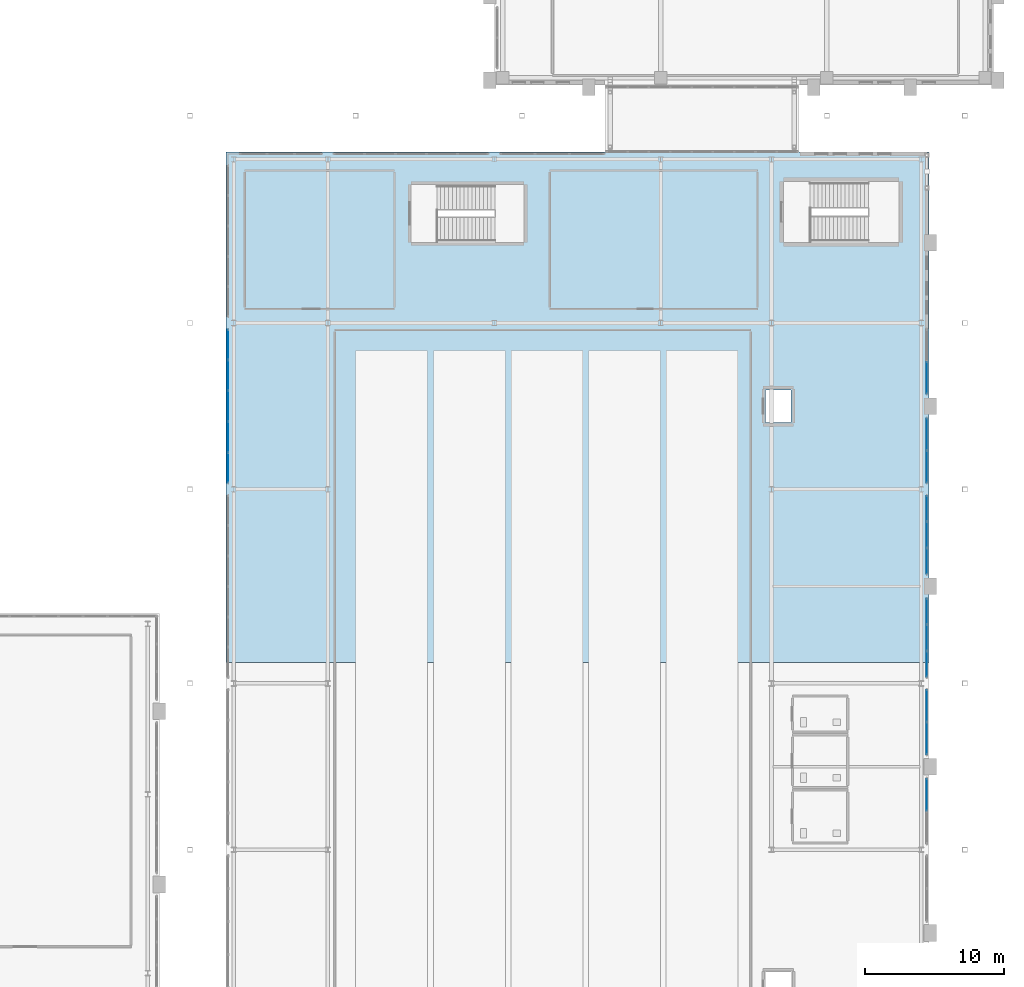
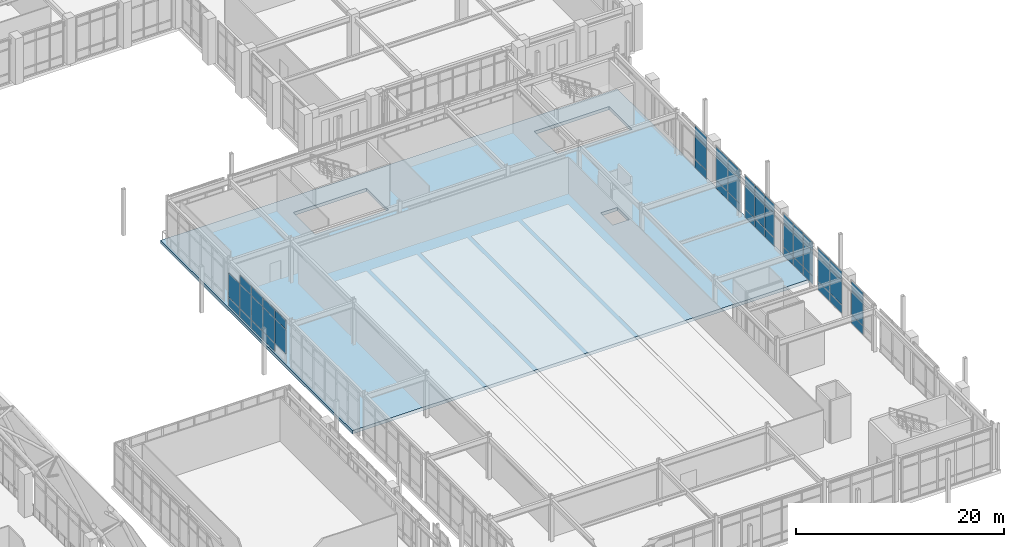
# One storey, part 114 of 159: 49 plates, 1 slab, 7 elements without a shape of their own.
"""IFC4 building model written with IfcOpenShell, lengths in metres."""

from ifc_helpers import new_model, si_unit, derived_unit, direction, frame, origin, origin_2d, place, context, subcontext, project, spatial, polyline, rectangle, outline, extrude, material, layer, layer_set, type_object, element, aggregate, save


model = new_model("IFC4")

# Units and contexts
model_context = context("Model", 3, precision=1e-05, world=origin(), true_north=direction((0.0, 1.0)))
body_context = subcontext(model_context, "Body", "Model", "MODEL_VIEW")
ifc_project = project(units=[si_unit("LENGTHUNIT", "METRE"), si_unit("AREAUNIT", "SQUARE_METRE"), si_unit("VOLUMEUNIT", "CUBIC_METRE"), si_unit("PLANEANGLEUNIT", "RADIAN"), si_unit("MASSUNIT", "GRAM", prefix="KILO"), derived_unit("THERMALTRANSMITTANCEUNIT", [(si_unit("MASSUNIT", "GRAM", prefix="KILO"), 1), (si_unit("TIMEUNIT", "SECOND"), -3), (si_unit("THERMODYNAMICTEMPERATUREUNIT", "KELVIN"), -1)])], contexts=[model_context])

# Site, building, storey
site_placement = place(None, origin())
site = spatial("IfcSite", under=ifc_project, at=site_placement, CompositionType="ELEMENT")
building_placement = place(site_placement, origin())
building = spatial("IfcBuilding", under=site, at=building_placement, Name="Valcora Ridge Arena", CompositionType="ELEMENT")
storey_placement = place(building_placement, frame((0.0, 0.0, 6.0)))
storey = spatial("IfcBuildingStorey", under=building, at=storey_placement, Name="L01", CompositionType="ELEMENT", Elevation=6.0)

# Curtain wall, plates
ifc_material_1 = material(Name="Anodised dark bronze architectural aluminium 6063-T6", Category="aluminium")
ifc_layer_1 = layer(ifc_material_1, 0.179931640625, Name="Anodised dark bronze architectural aluminium 6063-T6")
ifc_layer_set_1 = layer_set([ifc_layer_1], Name="Anodised dark bronze architectural aluminium 6063-T6")
curtain_wall_type_1 = type_object("IfcCurtainWallType", Name="TY-CURTAINWALL-CW-V2-GLAZ-057X50", PredefinedType="NOTDEFINED", material=ifc_layer_set_1)
curtain_wall_1_placement = place(storey_placement, origin())
curtain_wall_1 = element("IfcCurtainWall", 1, at=curtain_wall_1_placement, inside=storey, type_object=curtain_wall_type_1, Name="CW-V2-GLAZ-057X50 CW-0053", PredefinedType="NOTDEFINED")
ifc_material_2 = material(Name="Low-iron solar-control double glazing SHGC 0.28", Category="glass")
ifc_layer_2 = layer(ifc_material_2, 0.028076171875, Name="Low-iron solar-control double glazing SHGC 0.28")
ifc_layer_set_2 = layer_set([ifc_layer_2], Name="Low-iron solar-control double glazing SHGC 0.28")
plate_type_1 = type_object("IfcPlateType", Name="TY-PLT-CWP-1821X0975", PredefinedType="CURTAIN_PANEL", material=ifc_layer_set_2)
plate_1_placement = place(storey_placement, frame((187.199951171875, 41.39697265625, 0.050048828125), z_axis=(0.0, 0.0, 1.0), x_axis=(0.0, 1.0, 0.0)))
plate_1 = element("IfcPlate", 2, at=plate_1_placement, type_object=plate_type_1, Name="CW-0053/P00-00", PredefinedType="CURTAIN_PANEL", context=body_context, shape_type="SweptSolid", body=[
    extrude(rectangle(XDim=1.821044921875, YDim=0.028076171875, at=origin_2d()), origin(), (0.0, 0.0, 1.0), 0.97509765625),
])
plate_2_placement = place(storey_placement, frame((187.199951171875, 45.18896484375, 0.050048828125), z_axis=(0.0, 0.0, 1.0), x_axis=(0.0, 1.0, 0.0)))
plate_2 = element("IfcPlate", 3, at=plate_2_placement, type_object=plate_type_1, Name="CW-0053/P02-00", PredefinedType="CURTAIN_PANEL", context=body_context, shape_type="SweptSolid", body=[
    extrude(rectangle(XDim=1.821044921875, YDim=0.028076171875, at=origin_2d()), origin(), (0.0, 0.0, 1.0), 0.97509765625),
])

curtain_wall_2_placement = place(storey_placement, origin())
curtain_wall_2 = element("IfcCurtainWall", 4, at=curtain_wall_2_placement, inside=storey, type_object=curtain_wall_type_1, Name="CW-V2-GLAZ-057X50 CW-0054", PredefinedType="NOTDEFINED")
plate_3_placement = place(storey_placement, frame((187.199951171875, 48.810546875, 0.050048828125), z_axis=(0.0, 0.0, 1.0), x_axis=(0.0, 1.0, 0.0)))
plate_3 = element("IfcPlate", 5, at=plate_3_placement, type_object=plate_type_1, Name="CW-0054/P00-00", PredefinedType="CURTAIN_PANEL", context=body_context, shape_type="SweptSolid", body=[
    extrude(rectangle(XDim=1.821044921875, YDim=0.028076171875, at=origin_2d()), origin(), (0.0, 0.0, 1.0), 0.97509765625),
])
plate_4_placement = place(storey_placement, frame((187.199951171875, 52.6025390625, 0.050048828125), z_axis=(0.0, 0.0, 1.0), x_axis=(0.0, 1.0, 0.0)))
plate_4 = element("IfcPlate", 6, at=plate_4_placement, type_object=plate_type_1, Name="CW-0054/P02-00", PredefinedType="CURTAIN_PANEL", context=body_context, shape_type="SweptSolid", body=[
    extrude(rectangle(XDim=1.821044921875, YDim=0.028076171875, at=origin_2d()), origin(), (0.0, 0.0, 1.0), 0.97509765625),
])

# Plate
ifc_layer_3 = layer(ifc_material_2, 0.028076171875, Name="Low-iron solar-control double glazing SHGC 0.28")
ifc_layer_set_3 = layer_set([ifc_layer_3], Name="Low-iron solar-control double glazing SHGC 0.28")
plate_type_2 = type_object("IfcPlateType", Name="TY-PLT-CWP-1821X1025", PredefinedType="CURTAIN_PANEL", material=ifc_layer_set_3)
plate_5_placement = place(storey_placement, frame((187.199951171875, 41.39697265625, 3.965087890625), z_axis=(0.0, 0.0, 1.0), x_axis=(0.0, 1.0, 0.0)))
plate_5 = element("IfcPlate", 7, at=plate_5_placement, type_object=plate_type_2, Name="CW-0053/P00-02", PredefinedType="CURTAIN_PANEL", context=body_context, shape_type="SweptSolid", body=[
    extrude(rectangle(XDim=1.821044921875, YDim=0.028076171875, at=origin_2d()), origin(), (0.0, 0.0, 1.0), 1.02490234375),
])

plate_6_placement = place(storey_placement, frame((187.199951171875, 45.18896484375, 3.965087890625), z_axis=(0.0, 0.0, 1.0), x_axis=(0.0, 1.0, 0.0)))
plate_6 = element("IfcPlate", 8, at=plate_6_placement, type_object=plate_type_2, Name="CW-0053/P02-02", PredefinedType="CURTAIN_PANEL", context=body_context, shape_type="SweptSolid", body=[
    extrude(rectangle(XDim=1.821044921875, YDim=0.028076171875, at=origin_2d()), origin(), (0.0, 0.0, 1.0), 1.02490234375),
])

plate_7_placement = place(storey_placement, frame((187.199951171875, 48.810546875, 3.965087890625), z_axis=(0.0, 0.0, 1.0), x_axis=(0.0, 1.0, 0.0)))
plate_7 = element("IfcPlate", 9, at=plate_7_placement, type_object=plate_type_2, Name="CW-0054/P00-02", PredefinedType="CURTAIN_PANEL", context=body_context, shape_type="SweptSolid", body=[
    extrude(rectangle(XDim=1.821044921875, YDim=0.028076171875, at=origin_2d()), origin(), (0.0, 0.0, 1.0), 1.02490234375),
])

plate_8_placement = place(storey_placement, frame((187.199951171875, 52.6025390625, 3.965087890625), z_axis=(0.0, 0.0, 1.0), x_axis=(0.0, 1.0, 0.0)))
plate_8 = element("IfcPlate", 10, at=plate_8_placement, type_object=plate_type_2, Name="CW-0054/P02-02", PredefinedType="CURTAIN_PANEL", context=body_context, shape_type="SweptSolid", body=[
    extrude(rectangle(XDim=1.821044921875, YDim=0.028076171875, at=origin_2d()), origin(), (0.0, 0.0, 1.0), 1.02490234375),
])

ifc_layer_4 = layer(ifc_material_2, 0.028076171875, Name="Low-iron solar-control double glazing SHGC 0.28")
ifc_layer_set_4 = layer_set([ifc_layer_4], Name="Low-iron solar-control double glazing SHGC 0.28")
plate_type_3 = type_object("IfcPlateType", Name="TY-PLT-CWP-1821X2840", PredefinedType="CURTAIN_PANEL", material=ifc_layer_set_4)
plate_9_placement = place(storey_placement, frame((187.199951171875, 41.39697265625, 1.0751953125), z_axis=(0.0, 0.0, 1.0), x_axis=(0.0, 1.0, 0.0)))
plate_9 = element("IfcPlate", 11, at=plate_9_placement, type_object=plate_type_3, Name="CW-0053/P00-01", PredefinedType="CURTAIN_PANEL", context=body_context, shape_type="SweptSolid", body=[
    extrude(rectangle(XDim=1.821044921875, YDim=0.028076171875, at=origin_2d()), origin(), (0.0, 0.0, 1.0), 2.840087890625),
])

plate_10_placement = place(storey_placement, frame((187.199951171875, 45.18896484375, 1.0751953125), z_axis=(0.0, 0.0, 1.0), x_axis=(0.0, 1.0, 0.0)))
plate_10 = element("IfcPlate", 12, at=plate_10_placement, type_object=plate_type_3, Name="CW-0053/P02-01", PredefinedType="CURTAIN_PANEL", context=body_context, shape_type="SweptSolid", body=[
    extrude(rectangle(XDim=1.821044921875, YDim=0.028076171875, at=origin_2d()), origin(), (0.0, 0.0, 1.0), 2.840087890625),
])

plate_11_placement = place(storey_placement, frame((187.199951171875, 48.810546875, 1.0751953125), z_axis=(0.0, 0.0, 1.0), x_axis=(0.0, 1.0, 0.0)))
plate_11 = element("IfcPlate", 13, at=plate_11_placement, type_object=plate_type_3, Name="CW-0054/P00-01", PredefinedType="CURTAIN_PANEL", context=body_context, shape_type="SweptSolid", body=[
    extrude(rectangle(XDim=1.821044921875, YDim=0.028076171875, at=origin_2d()), origin(), (0.0, 0.0, 1.0), 2.840087890625),
])

plate_12_placement = place(storey_placement, frame((187.199951171875, 52.6025390625, 1.0751953125), z_axis=(0.0, 0.0, 1.0), x_axis=(0.0, 1.0, 0.0)))
plate_12 = element("IfcPlate", 14, at=plate_12_placement, type_object=plate_type_3, Name="CW-0054/P02-01", PredefinedType="CURTAIN_PANEL", context=body_context, shape_type="SweptSolid", body=[
    extrude(rectangle(XDim=1.821044921875, YDim=0.028076171875, at=origin_2d()), origin(), (0.0, 0.0, 1.0), 2.840087890625),
])

ifc_layer_5 = layer(ifc_material_2, 0.028076171875, Name="Low-iron solar-control double glazing SHGC 0.28")
ifc_layer_set_5 = layer_set([ifc_layer_5], Name="Low-iron solar-control double glazing SHGC 0.28")
plate_type_4 = type_object("IfcPlateType", Name="TY-PLT-CWP-1851X0975", PredefinedType="CURTAIN_PANEL", material=ifc_layer_set_5)
plate_13_placement = place(storey_placement, frame((187.199951171875, 43.29296875, 0.050048828125), z_axis=(0.0, 0.0, 1.0), x_axis=(0.0, 1.0, 0.0)))
plate_13 = element("IfcPlate", 15, at=plate_13_placement, type_object=plate_type_4, Name="CW-0053/P01-00", PredefinedType="CURTAIN_PANEL", context=body_context, shape_type="SweptSolid", body=[
    extrude(rectangle(XDim=1.85107421875, YDim=0.028076171875, at=origin_2d()), origin(), (0.0, 0.0, 1.0), 0.97509765625),
])

plate_14_placement = place(storey_placement, frame((187.199951171875, 50.70654296875, 0.050048828125), z_axis=(0.0, 0.0, 1.0), x_axis=(0.0, 1.0, 0.0)))
plate_14 = element("IfcPlate", 16, at=plate_14_placement, type_object=plate_type_4, Name="CW-0054/P01-00", PredefinedType="CURTAIN_PANEL", context=body_context, shape_type="SweptSolid", body=[
    extrude(rectangle(XDim=1.85107421875, YDim=0.028076171875, at=origin_2d()), origin(), (0.0, 0.0, 1.0), 0.97509765625),
])

ifc_layer_6 = layer(ifc_material_2, 0.028076171875, Name="Low-iron solar-control double glazing SHGC 0.28")
ifc_layer_set_6 = layer_set([ifc_layer_6], Name="Low-iron solar-control double glazing SHGC 0.28")
plate_type_5 = type_object("IfcPlateType", Name="TY-PLT-CWP-1851X1025", PredefinedType="CURTAIN_PANEL", material=ifc_layer_set_6)
plate_15_placement = place(storey_placement, frame((187.199951171875, 43.29296875, 3.965087890625), z_axis=(0.0, 0.0, 1.0), x_axis=(0.0, 1.0, 0.0)))
plate_15 = element("IfcPlate", 17, at=plate_15_placement, type_object=plate_type_5, Name="CW-0053/P01-02", PredefinedType="CURTAIN_PANEL", context=body_context, shape_type="SweptSolid", body=[
    extrude(rectangle(XDim=1.85107421875, YDim=0.028076171875, at=origin_2d()), origin(), (0.0, 0.0, 1.0), 1.02490234375),
])

plate_16_placement = place(storey_placement, frame((187.199951171875, 50.70654296875, 3.965087890625), z_axis=(0.0, 0.0, 1.0), x_axis=(0.0, 1.0, 0.0)))
plate_16 = element("IfcPlate", 18, at=plate_16_placement, type_object=plate_type_5, Name="CW-0054/P01-02", PredefinedType="CURTAIN_PANEL", context=body_context, shape_type="SweptSolid", body=[
    extrude(rectangle(XDim=1.85107421875, YDim=0.028076171875, at=origin_2d()), origin(), (0.0, 0.0, 1.0), 1.02490234375),
])

ifc_layer_7 = layer(ifc_material_2, 0.028076171875, Name="Low-iron solar-control double glazing SHGC 0.28")
ifc_layer_set_7 = layer_set([ifc_layer_7], Name="Low-iron solar-control double glazing SHGC 0.28")
plate_type_6 = type_object("IfcPlateType", Name="TY-PLT-CWP-1851X2840", PredefinedType="CURTAIN_PANEL", material=ifc_layer_set_7)
plate_17_placement = place(storey_placement, frame((187.199951171875, 43.29296875, 1.0751953125), z_axis=(0.0, 0.0, 1.0), x_axis=(0.0, 1.0, 0.0)))
plate_17 = element("IfcPlate", 19, at=plate_17_placement, type_object=plate_type_6, Name="CW-0053/P01-01", PredefinedType="CURTAIN_PANEL", context=body_context, shape_type="SweptSolid", body=[
    extrude(rectangle(XDim=1.85107421875, YDim=0.028076171875, at=origin_2d()), origin(), (0.0, 0.0, 1.0), 2.840087890625),
])

aggregate(curtain_wall_1, [plate_1, plate_9, plate_5, plate_13, plate_17, plate_15, plate_2, plate_10, plate_6])

plate_18_placement = place(storey_placement, frame((187.199951171875, 50.70654296875, 1.0751953125), z_axis=(0.0, 0.0, 1.0), x_axis=(0.0, 1.0, 0.0)))
plate_18 = element("IfcPlate", 20, at=plate_18_placement, type_object=plate_type_6, Name="CW-0054/P01-01", PredefinedType="CURTAIN_PANEL", context=body_context, shape_type="SweptSolid", body=[
    extrude(rectangle(XDim=1.85107421875, YDim=0.028076171875, at=origin_2d()), origin(), (0.0, 0.0, 1.0), 2.840087890625),
])

aggregate(curtain_wall_2, [plate_3, plate_11, plate_7, plate_14, plate_18, plate_16, plate_4, plate_12, plate_8])

# Curtain wall, plates
ifc_layer_8 = layer(ifc_material_1, 0.179931640625, Name="Anodised dark bronze architectural aluminium 6063-T6")
ifc_layer_set_8 = layer_set([ifc_layer_8], Name="Anodised dark bronze architectural aluminium 6063-T6")
curtain_wall_type_2 = type_object("IfcCurtainWallType", Name="TY-CURTAINWALL-CW-V2-GLAZ-111X50", PredefinedType="NOTDEFINED", material=ifc_layer_set_8)
curtain_wall_3_placement = place(storey_placement, origin())
curtain_wall_3 = element("IfcCurtainWall", 21, at=curtain_wall_3_placement, inside=storey, type_object=curtain_wall_type_2, Name="CW-V2-GLAZ-111X50 CW-0042", PredefinedType="NOTDEFINED")
ifc_layer_9 = layer(ifc_material_2, 0.028076171875, Name="Low-iron solar-control double glazing SHGC 0.28")
ifc_layer_set_9 = layer_set([ifc_layer_9], Name="Low-iron solar-control double glazing SHGC 0.28")
plate_type_7 = type_object("IfcPlateType", Name="TY-PLT-CWP-2139X0975", PredefinedType="CURTAIN_PANEL", material=ifc_layer_set_9)
plate_19_placement = place(storey_placement, frame((136.800048828125, 64.444091796875, 0.050048828125), z_axis=(0.0, 0.0, 1.0), x_axis=(0.0, 1.0, 0.0)))
plate_19 = element("IfcPlate", 22, at=plate_19_placement, type_object=plate_type_7, Name="CW-0042/P04-00", PredefinedType="CURTAIN_PANEL", context=body_context, shape_type="SweptSolid", body=[
    extrude(rectangle(XDim=2.138916015625, YDim=0.028076171875, at=origin_2d()), origin(), (0.0, 0.0, 1.0), 0.97509765625),
])
ifc_layer_10 = layer(ifc_material_2, 0.028076171875, Name="Low-iron solar-control double glazing SHGC 0.28")
ifc_layer_set_10 = layer_set([ifc_layer_10], Name="Low-iron solar-control double glazing SHGC 0.28")
plate_type_8 = type_object("IfcPlateType", Name="TY-PLT-CWP-2139X1025", PredefinedType="CURTAIN_PANEL", material=ifc_layer_set_10)
plate_20_placement = place(storey_placement, frame((136.800048828125, 55.555908203125, 3.965087890625), z_axis=(0.0, 0.0, 1.0), x_axis=(0.0, 1.0, 0.0)))
plate_20 = element("IfcPlate", 23, at=plate_20_placement, type_object=plate_type_8, Name="CW-0042/P00-02", PredefinedType="CURTAIN_PANEL", context=body_context, shape_type="SweptSolid", body=[
    extrude(rectangle(XDim=2.138916015625, YDim=0.028076171875, at=origin_2d()), origin(), (0.0, 0.0, 1.0), 1.02490234375),
])
ifc_layer_11 = layer(ifc_material_2, 0.028076171875, Name="Low-iron solar-control double glazing SHGC 0.28")
ifc_layer_set_11 = layer_set([ifc_layer_11], Name="Low-iron solar-control double glazing SHGC 0.28")
plate_type_9 = type_object("IfcPlateType", Name="TY-PLT-CWP-2139X2840", PredefinedType="CURTAIN_PANEL", material=ifc_layer_set_11)
plate_21_placement = place(storey_placement, frame((136.800048828125, 55.555908203125, 1.0751953125), z_axis=(0.0, 0.0, 1.0), x_axis=(0.0, 1.0, 0.0)))
plate_21 = element("IfcPlate", 24, at=plate_21_placement, type_object=plate_type_9, Name="CW-0042/P00-01", PredefinedType="CURTAIN_PANEL", context=body_context, shape_type="SweptSolid", body=[
    extrude(rectangle(XDim=2.138916015625, YDim=0.028076171875, at=origin_2d()), origin(), (0.0, 0.0, 1.0), 2.840087890625),
])
plate_22_placement = place(storey_placement, frame((136.800048828125, 64.444091796875, 1.0751953125), z_axis=(0.0, 0.0, 1.0), x_axis=(0.0, 1.0, 0.0)))
plate_22 = element("IfcPlate", 25, at=plate_22_placement, type_object=plate_type_9, Name="CW-0042/P04-01", PredefinedType="CURTAIN_PANEL", context=body_context, shape_type="SweptSolid", body=[
    extrude(rectangle(XDim=2.138916015625, YDim=0.028076171875, at=origin_2d()), origin(), (0.0, 0.0, 1.0), 2.840087890625),
])
ifc_layer_12 = layer(ifc_material_2, 0.028076171875, Name="Low-iron solar-control double glazing SHGC 0.28")
ifc_layer_set_12 = layer_set([ifc_layer_12], Name="Low-iron solar-control double glazing SHGC 0.28")
plate_type_10 = type_object("IfcPlateType", Name="TY-PLT-CWP-2169X0975", PredefinedType="CURTAIN_PANEL", material=ifc_layer_set_12)
plate_23_placement = place(storey_placement, frame((136.800048828125, 60.0, 0.050048828125), z_axis=(0.0, 0.0, 1.0), x_axis=(0.0, 1.0, 0.0)))
plate_23 = element("IfcPlate", 26, at=plate_23_placement, type_object=plate_type_10, Name="CW-0042/P02-00", PredefinedType="CURTAIN_PANEL", context=body_context, shape_type="SweptSolid", body=[
    extrude(rectangle(XDim=2.1689453125, YDim=0.028076171875, at=origin_2d()), origin(), (0.0, 0.0, 1.0), 0.97509765625),
])
ifc_layer_13 = layer(ifc_material_2, 0.028076171875, Name="Low-iron solar-control double glazing SHGC 0.28")
ifc_layer_set_13 = layer_set([ifc_layer_13], Name="Low-iron solar-control double glazing SHGC 0.28")
plate_type_11 = type_object("IfcPlateType", Name="TY-PLT-CWP-2169X1025", PredefinedType="CURTAIN_PANEL", material=ifc_layer_set_13)
plate_24_placement = place(storey_placement, frame((136.800048828125, 60.0, 3.965087890625), z_axis=(0.0, 0.0, 1.0), x_axis=(0.0, 1.0, 0.0)))
plate_24 = element("IfcPlate", 27, at=plate_24_placement, type_object=plate_type_11, Name="CW-0042/P02-02", PredefinedType="CURTAIN_PANEL", context=body_context, shape_type="SweptSolid", body=[
    extrude(rectangle(XDim=2.1689453125, YDim=0.028076171875, at=origin_2d()), origin(), (0.0, 0.0, 1.0), 1.02490234375),
])
ifc_layer_14 = layer(ifc_material_2, 0.028076171875, Name="Low-iron solar-control double glazing SHGC 0.28")
ifc_layer_set_14 = layer_set([ifc_layer_14], Name="Low-iron solar-control double glazing SHGC 0.28")
plate_type_12 = type_object("IfcPlateType", Name="TY-PLT-CWP-2169X2840", PredefinedType="CURTAIN_PANEL", material=ifc_layer_set_14)
plate_25_placement = place(storey_placement, frame((136.800048828125, 60.0, 1.0751953125), z_axis=(0.0, 0.0, 1.0), x_axis=(0.0, 1.0, 0.0)))
plate_25 = element("IfcPlate", 28, at=plate_25_placement, type_object=plate_type_12, Name="CW-0042/P02-01", PredefinedType="CURTAIN_PANEL", context=body_context, shape_type="SweptSolid", body=[
    extrude(rectangle(XDim=2.1689453125, YDim=0.028076171875, at=origin_2d()), origin(), (0.0, 0.0, 1.0), 2.840087890625),
])
ifc_layer_15 = layer(ifc_material_2, 0.028076171875, Name="Low-iron solar-control double glazing SHGC 0.28")
ifc_layer_set_15 = layer_set([ifc_layer_15], Name="Low-iron solar-control double glazing SHGC 0.28")
plate_type_13 = type_object("IfcPlateType", Name="TY-PLT-CWP-2170X0975", PredefinedType="CURTAIN_PANEL", material=ifc_layer_set_15)
plate_26_placement = place(storey_placement, frame((136.800048828125, 57.7705078125, 0.050048828125), z_axis=(0.0, 0.0, 1.0), x_axis=(0.0, 1.0, 0.0)))
plate_26 = element("IfcPlate", 29, at=plate_26_placement, type_object=plate_type_13, Name="CW-0042/P01-00", PredefinedType="CURTAIN_PANEL", context=body_context, shape_type="SweptSolid", body=[
    extrude(rectangle(XDim=2.169921875, YDim=0.028076171875, at=origin_2d()), origin(), (0.0, 0.0, 1.0), 0.97509765625),
])
plate_27_placement = place(storey_placement, frame((136.800048828125, 62.2294921875, 0.050048828125), z_axis=(0.0, 0.0, 1.0), x_axis=(0.0, 1.0, 0.0)))
plate_27 = element("IfcPlate", 30, at=plate_27_placement, type_object=plate_type_13, Name="CW-0042/P03-00", PredefinedType="CURTAIN_PANEL", context=body_context, shape_type="SweptSolid", body=[
    extrude(rectangle(XDim=2.169921875, YDim=0.028076171875, at=origin_2d()), origin(), (0.0, 0.0, 1.0), 0.97509765625),
])
ifc_layer_16 = layer(ifc_material_2, 0.028076171875, Name="Low-iron solar-control double glazing SHGC 0.28")
ifc_layer_set_16 = layer_set([ifc_layer_16], Name="Low-iron solar-control double glazing SHGC 0.28")
plate_type_14 = type_object("IfcPlateType", Name="TY-PLT-CWP-2170X1025", PredefinedType="CURTAIN_PANEL", material=ifc_layer_set_16)
plate_28_placement = place(storey_placement, frame((136.800048828125, 57.7705078125, 3.965087890625), z_axis=(0.0, 0.0, 1.0), x_axis=(0.0, 1.0, 0.0)))
plate_28 = element("IfcPlate", 31, at=plate_28_placement, type_object=plate_type_14, Name="CW-0042/P01-02", PredefinedType="CURTAIN_PANEL", context=body_context, shape_type="SweptSolid", body=[
    extrude(rectangle(XDim=2.169921875, YDim=0.028076171875, at=origin_2d()), origin(), (0.0, 0.0, 1.0), 1.02490234375),
])
plate_29_placement = place(storey_placement, frame((136.800048828125, 62.2294921875, 3.965087890625), z_axis=(0.0, 0.0, 1.0), x_axis=(0.0, 1.0, 0.0)))
plate_29 = element("IfcPlate", 32, at=plate_29_placement, type_object=plate_type_14, Name="CW-0042/P03-02", PredefinedType="CURTAIN_PANEL", context=body_context, shape_type="SweptSolid", body=[
    extrude(rectangle(XDim=2.169921875, YDim=0.028076171875, at=origin_2d()), origin(), (0.0, 0.0, 1.0), 1.02490234375),
])
ifc_layer_17 = layer(ifc_material_2, 0.028076171875, Name="Low-iron solar-control double glazing SHGC 0.28")
ifc_layer_set_17 = layer_set([ifc_layer_17], Name="Low-iron solar-control double glazing SHGC 0.28")
plate_type_15 = type_object("IfcPlateType", Name="TY-PLT-CWP-2170X2840", PredefinedType="CURTAIN_PANEL", material=ifc_layer_set_17)
plate_30_placement = place(storey_placement, frame((136.800048828125, 57.7705078125, 1.0751953125), z_axis=(0.0, 0.0, 1.0), x_axis=(0.0, 1.0, 0.0)))
plate_30 = element("IfcPlate", 33, at=plate_30_placement, type_object=plate_type_15, Name="CW-0042/P01-01", PredefinedType="CURTAIN_PANEL", context=body_context, shape_type="SweptSolid", body=[
    extrude(rectangle(XDim=2.169921875, YDim=0.028076171875, at=origin_2d()), origin(), (0.0, 0.0, 1.0), 2.840087890625),
])
plate_31_placement = place(storey_placement, frame((136.800048828125, 62.2294921875, 1.0751953125), z_axis=(0.0, 0.0, 1.0), x_axis=(0.0, 1.0, 0.0)))
plate_31 = element("IfcPlate", 34, at=plate_31_placement, type_object=plate_type_15, Name="CW-0042/P03-01", PredefinedType="CURTAIN_PANEL", context=body_context, shape_type="SweptSolid", body=[
    extrude(rectangle(XDim=2.169921875, YDim=0.028076171875, at=origin_2d()), origin(), (0.0, 0.0, 1.0), 2.840087890625),
])
aggregate(curtain_wall_3, [plate_21, plate_20, plate_26, plate_30, plate_28, plate_23, plate_25, plate_24, plate_27, plate_31, plate_29, plate_19, plate_22])

# Curtain wall, plate
ifc_layer_18 = layer(ifc_material_1, 0.179931640625, Name="Anodised dark bronze architectural aluminium 6063-T6")
ifc_layer_set_18 = layer_set([ifc_layer_18], Name="Anodised dark bronze architectural aluminium 6063-T6")
curtain_wall_type_3 = type_object("IfcCurtainWallType", Name="TY-CURTAINWALL-CW-V2-GLAZ-047X50", PredefinedType="NOTDEFINED", material=ifc_layer_set_18)
curtain_wall_4_placement = place(storey_placement, origin())
curtain_wall_4 = element("IfcCurtainWall", 35, at=curtain_wall_4_placement, inside=storey, type_object=curtain_wall_type_3, Name="CW-V2-GLAZ-047X50 CW-0051", PredefinedType="NOTDEFINED")
ifc_layer_19 = layer(ifc_material_2, 0.028076171875, Name="Low-iron solar-control double glazing SHGC 0.28")
ifc_layer_set_19 = layer_set([ifc_layer_19], Name="Low-iron solar-control double glazing SHGC 0.28")
plate_type_16 = type_object("IfcPlateType", Name="TY-PLT-CWP-2276X0975", PredefinedType="CURTAIN_PANEL", material=ifc_layer_set_19)
plate_32_placement = place(storey_placement, frame((187.199951171875, 31.96142578125, 0.050048828125), z_axis=(0.0, 0.0, 1.0), x_axis=(0.0, 1.0, 0.0)))
plate_32 = element("IfcPlate", 36, at=plate_32_placement, type_object=plate_type_16, Name="CW-0051/P01-00", PredefinedType="CURTAIN_PANEL", context=body_context, shape_type="SweptSolid", body=[
    extrude(rectangle(XDim=2.27587890625, YDim=0.028076171875, at=origin_2d()), origin(), (0.0, 0.0, 1.0), 0.97509765625),
])

curtain_wall_5_placement = place(storey_placement, origin())
curtain_wall_5 = element("IfcCurtainWall", 37, at=curtain_wall_5_placement, inside=storey, type_object=curtain_wall_type_3, Name="CW-V2-GLAZ-047X50 CW-0052", PredefinedType="NOTDEFINED")
plate_33_placement = place(storey_placement, frame((187.199951171875, 38.375, 0.050048828125), z_axis=(0.0, 0.0, 1.0), x_axis=(0.0, 1.0, 0.0)))
plate_33 = element("IfcPlate", 38, at=plate_33_placement, type_object=plate_type_16, Name="CW-0052/P01-00", PredefinedType="CURTAIN_PANEL", context=body_context, shape_type="SweptSolid", body=[
    extrude(rectangle(XDim=2.27587890625, YDim=0.028076171875, at=origin_2d()), origin(), (0.0, 0.0, 1.0), 0.97509765625),
])

curtain_wall_6_placement = place(storey_placement, origin())
curtain_wall_6 = element("IfcCurtainWall", 39, at=curtain_wall_6_placement, inside=storey, type_object=curtain_wall_type_3, Name="CW-V2-GLAZ-047X50 CW-0055", PredefinedType="NOTDEFINED")
plate_34_placement = place(storey_placement, frame((187.199951171875, 57.96142578125, 0.050048828125), z_axis=(0.0, 0.0, 1.0), x_axis=(0.0, 1.0, 0.0)))
plate_34 = element("IfcPlate", 40, at=plate_34_placement, type_object=plate_type_16, Name="CW-0055/P01-00", PredefinedType="CURTAIN_PANEL", context=body_context, shape_type="SweptSolid", body=[
    extrude(rectangle(XDim=2.27587890625, YDim=0.028076171875, at=origin_2d()), origin(), (0.0, 0.0, 1.0), 0.97509765625),
])

# Plate
ifc_layer_20 = layer(ifc_material_2, 0.028076171875, Name="Low-iron solar-control double glazing SHGC 0.28")
ifc_layer_set_20 = layer_set([ifc_layer_20], Name="Low-iron solar-control double glazing SHGC 0.28")
plate_type_17 = type_object("IfcPlateType", Name="TY-PLT-CWP-2276X1025", PredefinedType="CURTAIN_PANEL", material=ifc_layer_set_20)
plate_35_placement = place(storey_placement, frame((187.199951171875, 31.96142578125, 3.965087890625), z_axis=(0.0, 0.0, 1.0), x_axis=(0.0, 1.0, 0.0)))
plate_35 = element("IfcPlate", 41, at=plate_35_placement, type_object=plate_type_17, Name="CW-0051/P01-02", PredefinedType="CURTAIN_PANEL", context=body_context, shape_type="SweptSolid", body=[
    extrude(rectangle(XDim=2.27587890625, YDim=0.028076171875, at=origin_2d()), origin(), (0.0, 0.0, 1.0), 1.02490234375),
])

plate_36_placement = place(storey_placement, frame((187.199951171875, 38.375, 3.965087890625), z_axis=(0.0, 0.0, 1.0), x_axis=(0.0, 1.0, 0.0)))
plate_36 = element("IfcPlate", 42, at=plate_36_placement, type_object=plate_type_17, Name="CW-0052/P01-02", PredefinedType="CURTAIN_PANEL", context=body_context, shape_type="SweptSolid", body=[
    extrude(rectangle(XDim=2.27587890625, YDim=0.028076171875, at=origin_2d()), origin(), (0.0, 0.0, 1.0), 1.02490234375),
])

plate_37_placement = place(storey_placement, frame((187.199951171875, 57.96142578125, 3.965087890625), z_axis=(0.0, 0.0, 1.0), x_axis=(0.0, 1.0, 0.0)))
plate_37 = element("IfcPlate", 43, at=plate_37_placement, type_object=plate_type_17, Name="CW-0055/P01-02", PredefinedType="CURTAIN_PANEL", context=body_context, shape_type="SweptSolid", body=[
    extrude(rectangle(XDim=2.27587890625, YDim=0.028076171875, at=origin_2d()), origin(), (0.0, 0.0, 1.0), 1.02490234375),
])

ifc_layer_21 = layer(ifc_material_2, 0.028076171875, Name="Low-iron solar-control double glazing SHGC 0.28")
ifc_layer_set_21 = layer_set([ifc_layer_21], Name="Low-iron solar-control double glazing SHGC 0.28")
plate_type_18 = type_object("IfcPlateType", Name="TY-PLT-CWP-2276X2840", PredefinedType="CURTAIN_PANEL", material=ifc_layer_set_21)
plate_38_placement = place(storey_placement, frame((187.199951171875, 31.96142578125, 1.0751953125), z_axis=(0.0, 0.0, 1.0), x_axis=(0.0, 1.0, 0.0)))
plate_38 = element("IfcPlate", 44, at=plate_38_placement, type_object=plate_type_18, Name="CW-0051/P01-01", PredefinedType="CURTAIN_PANEL", context=body_context, shape_type="SweptSolid", body=[
    extrude(rectangle(XDim=2.27587890625, YDim=0.028076171875, at=origin_2d()), origin(), (0.0, 0.0, 1.0), 2.840087890625),
])

aggregate(curtain_wall_4, [plate_32, plate_38, plate_35])

plate_39_placement = place(storey_placement, frame((187.199951171875, 38.375, 1.0751953125), z_axis=(0.0, 0.0, 1.0), x_axis=(0.0, 1.0, 0.0)))
plate_39 = element("IfcPlate", 45, at=plate_39_placement, type_object=plate_type_18, Name="CW-0052/P01-01", PredefinedType="CURTAIN_PANEL", context=body_context, shape_type="SweptSolid", body=[
    extrude(rectangle(XDim=2.27587890625, YDim=0.028076171875, at=origin_2d()), origin(), (0.0, 0.0, 1.0), 2.840087890625),
])

plate_40_placement = place(storey_placement, frame((187.199951171875, 57.96142578125, 1.0751953125), z_axis=(0.0, 0.0, 1.0), x_axis=(0.0, 1.0, 0.0)))
plate_40 = element("IfcPlate", 46, at=plate_40_placement, type_object=plate_type_18, Name="CW-0055/P01-01", PredefinedType="CURTAIN_PANEL", context=body_context, shape_type="SweptSolid", body=[
    extrude(rectangle(XDim=2.27587890625, YDim=0.028076171875, at=origin_2d()), origin(), (0.0, 0.0, 1.0), 2.840087890625),
])

ifc_layer_22 = layer(ifc_material_2, 0.028076171875, Name="Low-iron solar-control double glazing SHGC 0.28")
ifc_layer_set_22 = layer_set([ifc_layer_22], Name="Low-iron solar-control double glazing SHGC 0.28")
plate_type_19 = type_object("IfcPlateType", Name="TY-PLT-CWP-2277X0975", PredefinedType="CURTAIN_PANEL", material=ifc_layer_set_22)
plate_41_placement = place(storey_placement, frame((187.199951171875, 36.03857421875, 0.050048828125), z_axis=(0.0, 0.0, 1.0), x_axis=(0.0, 1.0, 0.0)))
plate_41 = element("IfcPlate", 47, at=plate_41_placement, type_object=plate_type_19, Name="CW-0052/P00-00", PredefinedType="CURTAIN_PANEL", context=body_context, shape_type="SweptSolid", body=[
    extrude(rectangle(XDim=2.277099609375, YDim=0.028076171875, at=origin_2d()), origin(), (0.0, 0.0, 1.0), 0.97509765625),
])

plate_42_placement = place(storey_placement, frame((187.199951171875, 55.625, 0.050048828125), z_axis=(0.0, 0.0, 1.0), x_axis=(0.0, 1.0, 0.0)))
plate_42 = element("IfcPlate", 48, at=plate_42_placement, type_object=plate_type_19, Name="CW-0055/P00-00", PredefinedType="CURTAIN_PANEL", context=body_context, shape_type="SweptSolid", body=[
    extrude(rectangle(XDim=2.277099609375, YDim=0.028076171875, at=origin_2d()), origin(), (0.0, 0.0, 1.0), 0.97509765625),
])

# Curtain wall, plate
curtain_wall_7_placement = place(storey_placement, origin())
curtain_wall_7 = element("IfcCurtainWall", 49, at=curtain_wall_7_placement, inside=storey, type_object=curtain_wall_type_3, Name="CW-V2-GLAZ-047X50 CW-0056", PredefinedType="NOTDEFINED")
plate_43_placement = place(storey_placement, frame((187.199951171875, 62.03857421875, 0.050048828125), z_axis=(0.0, 0.0, 1.0), x_axis=(0.0, 1.0, 0.0)))
plate_43 = element("IfcPlate", 50, at=plate_43_placement, type_object=plate_type_19, Name="CW-0056/P00-00", PredefinedType="CURTAIN_PANEL", context=body_context, shape_type="SweptSolid", body=[
    extrude(rectangle(XDim=2.277099609375, YDim=0.028076171875, at=origin_2d()), origin(), (0.0, 0.0, 1.0), 0.97509765625),
])

# Plate
ifc_layer_23 = layer(ifc_material_2, 0.028076171875, Name="Low-iron solar-control double glazing SHGC 0.28")
ifc_layer_set_23 = layer_set([ifc_layer_23], Name="Low-iron solar-control double glazing SHGC 0.28")
plate_type_20 = type_object("IfcPlateType", Name="TY-PLT-CWP-2277X1025", PredefinedType="CURTAIN_PANEL", material=ifc_layer_set_23)
plate_44_placement = place(storey_placement, frame((187.199951171875, 36.03857421875, 3.965087890625), z_axis=(0.0, 0.0, 1.0), x_axis=(0.0, 1.0, 0.0)))
plate_44 = element("IfcPlate", 51, at=plate_44_placement, type_object=plate_type_20, Name="CW-0052/P00-02", PredefinedType="CURTAIN_PANEL", context=body_context, shape_type="SweptSolid", body=[
    extrude(rectangle(XDim=2.277099609375, YDim=0.028076171875, at=origin_2d()), origin(), (0.0, 0.0, 1.0), 1.02490234375),
])

plate_45_placement = place(storey_placement, frame((187.199951171875, 55.625, 3.965087890625), z_axis=(0.0, 0.0, 1.0), x_axis=(0.0, 1.0, 0.0)))
plate_45 = element("IfcPlate", 52, at=plate_45_placement, type_object=plate_type_20, Name="CW-0055/P00-02", PredefinedType="CURTAIN_PANEL", context=body_context, shape_type="SweptSolid", body=[
    extrude(rectangle(XDim=2.277099609375, YDim=0.028076171875, at=origin_2d()), origin(), (0.0, 0.0, 1.0), 1.02490234375),
])

plate_46_placement = place(storey_placement, frame((187.199951171875, 62.03857421875, 3.965087890625), z_axis=(0.0, 0.0, 1.0), x_axis=(0.0, 1.0, 0.0)))
plate_46 = element("IfcPlate", 53, at=plate_46_placement, type_object=plate_type_20, Name="CW-0056/P00-02", PredefinedType="CURTAIN_PANEL", context=body_context, shape_type="SweptSolid", body=[
    extrude(rectangle(XDim=2.277099609375, YDim=0.028076171875, at=origin_2d()), origin(), (0.0, 0.0, 1.0), 1.02490234375),
])

ifc_layer_24 = layer(ifc_material_2, 0.028076171875, Name="Low-iron solar-control double glazing SHGC 0.28")
ifc_layer_set_24 = layer_set([ifc_layer_24], Name="Low-iron solar-control double glazing SHGC 0.28")
plate_type_21 = type_object("IfcPlateType", Name="TY-PLT-CWP-2277X2840", PredefinedType="CURTAIN_PANEL", material=ifc_layer_set_24)
plate_47_placement = place(storey_placement, frame((187.199951171875, 36.03857421875, 1.0751953125), z_axis=(0.0, 0.0, 1.0), x_axis=(0.0, 1.0, 0.0)))
plate_47 = element("IfcPlate", 54, at=plate_47_placement, type_object=plate_type_21, Name="CW-0052/P00-01", PredefinedType="CURTAIN_PANEL", context=body_context, shape_type="SweptSolid", body=[
    extrude(rectangle(XDim=2.277099609375, YDim=0.028076171875, at=origin_2d()), origin(), (0.0, 0.0, 1.0), 2.840087890625),
])

aggregate(curtain_wall_5, [plate_41, plate_47, plate_44, plate_33, plate_39, plate_36])

plate_48_placement = place(storey_placement, frame((187.199951171875, 55.625, 1.0751953125), z_axis=(0.0, 0.0, 1.0), x_axis=(0.0, 1.0, 0.0)))
plate_48 = element("IfcPlate", 55, at=plate_48_placement, type_object=plate_type_21, Name="CW-0055/P00-01", PredefinedType="CURTAIN_PANEL", context=body_context, shape_type="SweptSolid", body=[
    extrude(rectangle(XDim=2.277099609375, YDim=0.028076171875, at=origin_2d()), origin(), (0.0, 0.0, 1.0), 2.840087890625),
])

aggregate(curtain_wall_6, [plate_42, plate_48, plate_45, plate_34, plate_40, plate_37])

plate_49_placement = place(storey_placement, frame((187.199951171875, 62.03857421875, 1.0751953125), z_axis=(0.0, 0.0, 1.0), x_axis=(0.0, 1.0, 0.0)))
plate_49 = element("IfcPlate", 56, at=plate_49_placement, type_object=plate_type_21, Name="CW-0056/P00-01", PredefinedType="CURTAIN_PANEL", context=body_context, shape_type="SweptSolid", body=[
    extrude(rectangle(XDim=2.277099609375, YDim=0.028076171875, at=origin_2d()), origin(), (0.0, 0.0, 1.0), 2.840087890625),
])

aggregate(curtain_wall_7, [plate_43, plate_49, plate_46])

# Slab
ifc_material_3 = material(Name="Concrete C40/50", Category="concrete")
ifc_layer_25 = layer(ifc_material_3, 0.3798828125, Name="Concrete C40/50")
ifc_layer_set_25 = layer_set([ifc_layer_25], Name="Concrete C40/50")
slab_type = type_object("IfcSlabType", Name="TY-SLAB-SL-CRT-380-N", PredefinedType="FLOOR", material=ifc_layer_set_25)
slab_placement = place(storey_placement, frame((0.0, 0.0, -0.3798828125)))
element("IfcSlab", 57, at=slab_placement, inside=storey, type_object=slab_type, Name="SL-CRT-380-N SLB-0054", PredefinedType="FLOOR", context=body_context, shape_type="SweptSolid", body=[
    extrude(outline(polyline([(187.35009765625, 78.35009765625), (136.64990234375, 78.35009765625), (136.64990234375, 41.5), (187.35009765625, 41.5), (187.35009765625, 78.35009765625)]), holes=[polyline([(158.159912109375, 76.0), (150.0, 76.0), (150.0, 71.800048828125), (158.159912109375, 71.800048828125), (158.159912109375, 76.0)]), polyline([(176.8798828125, 76.199951171875), (176.8798828125, 71.800048828125), (185.199951171875, 71.800048828125), (185.199951171875, 76.199951171875), (176.8798828125, 76.199951171875)]), polyline([(177.419921875, 61.169921875), (175.580078125, 61.169921875), (175.580078125, 58.830078125), (177.419921875, 58.830078125), (177.419921875, 61.169921875)])]), origin(), (0.0, 0.0, 1.0), 0.3798828125),
])

save(model, "model.ifc")
